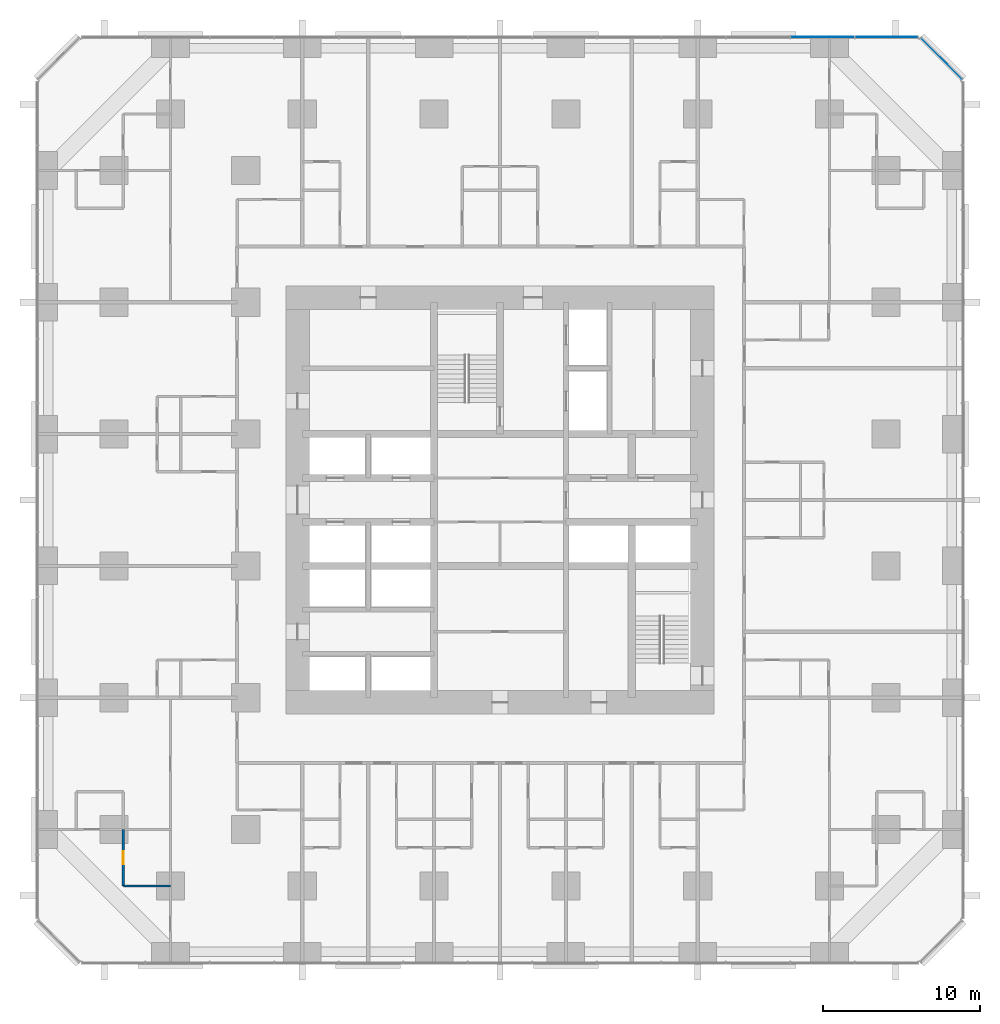
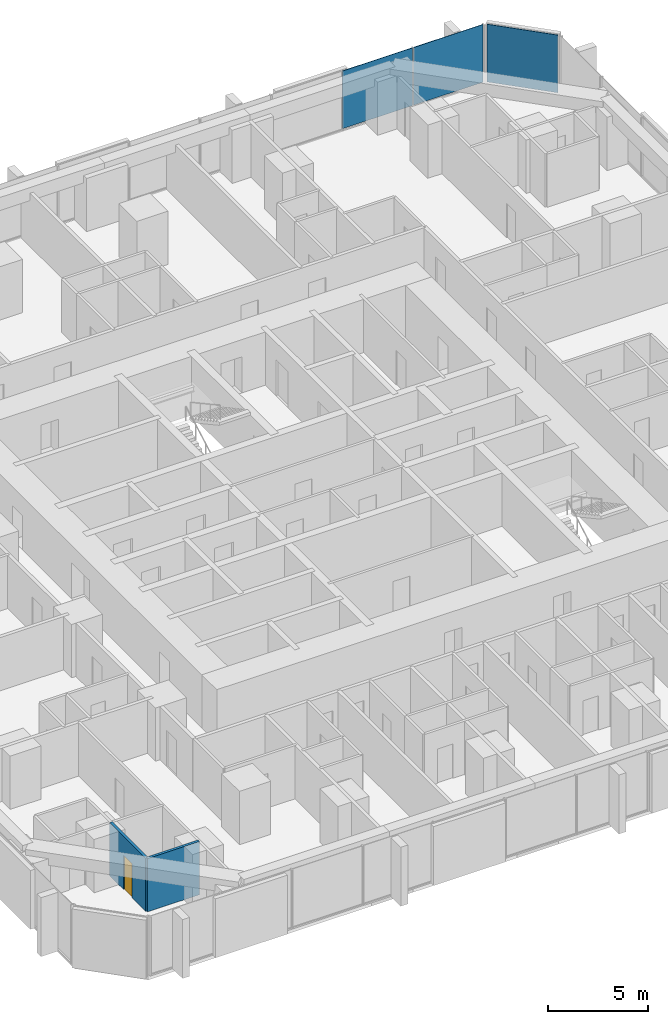
# One storey, part 10 of 17: 3 plates, 2 walls, 1 door, 1 opening, 2 elements without a shape of their own.
"""IFC4 building model written with IfcOpenShell, lengths in metres."""

from ifc_helpers import new_model, si_unit, direction, frame, frame_2d, origin, origin_2d, place, context, subcontext, project, spatial, rectangle, extrude, material, layer, layer_set, type_object, element, fill, aggregate, save


model = new_model("IFC4")

# Units and contexts
model_context = context("Model", 3, precision=1e-05, world=origin(), true_north=direction((0.0, 1.0)))
body_context = subcontext(model_context, "Body", "Model", "MODEL_VIEW")
ifc_project = project(units=[si_unit("LENGTHUNIT", "METRE"), si_unit("AREAUNIT", "SQUARE_METRE"), si_unit("VOLUMEUNIT", "CUBIC_METRE"), si_unit("PLANEANGLEUNIT", "RADIAN"), si_unit("MASSUNIT", "GRAM", prefix="KILO")], contexts=[model_context])

# Site, building, storey
site_placement = place(None, origin())
site = spatial("IfcSite", under=ifc_project, at=site_placement, CompositionType="ELEMENT")
building_placement = place(site_placement, origin())
building = spatial("IfcBuilding", under=site, at=building_placement, Name="Dunama Terrace Hotel", CompositionType="ELEMENT")
storey_placement = place(building_placement, frame((0.0, 0.0, 77.39990234375)))
storey = spatial("IfcBuildingStorey", under=building, at=storey_placement, Name="L19", CompositionType="ELEMENT", Elevation=77.39990234375)

# Curtain wall, plates
ifc_material_1 = material(Name="Aluminium curtain wall system", Category="aluminium")
curtain_wall_type = type_object("IfcCurtainWallType", Name="Unitised fritted glass wall CW-A", PredefinedType="NOTDEFINED", material=ifc_material_1)
curtain_wall_1_placement = place(storey_placement, origin())
curtain_wall_1 = element("IfcCurtainWall", 1, at=curtain_wall_1_placement, inside=storey, type_object=curtain_wall_type, Name="Unitised fritted glass wall CW-A L19", PredefinedType="NOTDEFINED")
ifc_material_2 = material(Name="Laminated glass", Category="glass")
ifc_layer_1 = layer(ifc_material_2, 0.030029296875)
ifc_layer_set_1 = layer_set([ifc_layer_1], Name="CWA clear glass panel")
plate_type_1 = type_object("IfcPlateType", Name="CWA clear glass panel", PredefinedType="CURTAIN_PANEL", material=ifc_layer_set_1)
plate_1_placement = place(storey_placement, frame((49.93798828125, 58.89990234375, 0.0751953125), z_axis=(0.0, 0.0, 1.0), x_axis=(-1.0, 0.0, 0.0)))
plate_1 = element("IfcPlate", 2, at=plate_1_placement, type_object=plate_type_1, Name="CWA clear glass panel", PredefinedType="CURTAIN_PANEL", context=body_context, shape_type="SweptSolid", body=[
    extrude(rectangle(XDim=4.042724609375, YDim=0.030029296875, at=origin_2d()), origin(), (0.0, 0.0, 1.0), 3.52490234375),
])
ifc_material_3 = material(Name="Fritted laminated glass", Category="glass")
ifc_layer_2 = layer(ifc_material_3, 0.030029296875)
ifc_layer_set_2 = layer_set([ifc_layer_2], Name="CWA fritted glass panel")
plate_type_2 = type_object("IfcPlateType", Name="CWA fritted glass panel", PredefinedType="CURTAIN_PANEL", material=ifc_layer_set_2)
plate_2_placement = place(storey_placement, frame((54.030029296875, 58.89990234375, 0.0751953125), z_axis=(0.0, 0.0, 1.0), x_axis=(-1.0, 0.0, 0.0)))
plate_2 = element("IfcPlate", 3, at=plate_2_placement, type_object=plate_type_2, Name="CWA fritted glass panel", PredefinedType="CURTAIN_PANEL", context=body_context, shape_type="SweptSolid", body=[
    extrude(rectangle(XDim=4.01025390625, YDim=0.030029296875, at=origin_2d()), origin(), (0.0, 0.0, 1.0), 3.52490234375),
])
aggregate(curtain_wall_1, [plate_2, plate_1])

# Curtain wall, plate
curtain_wall_2_placement = place(storey_placement, origin())
curtain_wall_2 = element("IfcCurtainWall", 4, at=curtain_wall_2_placement, inside=storey, type_object=curtain_wall_type, Name="Unitised fritted glass wall CW-A L19", PredefinedType="NOTDEFINED")
ifc_material_4 = material(Name="Laminated glass", Category="glass")
ifc_layer_3 = layer(ifc_material_4, 0.030029296875)
ifc_layer_set_3 = layer_set([ifc_layer_3], Name="CWA operable glass panel")
plate_type_3 = type_object("IfcPlateType", Name="CWA operable glass panel", PredefinedType="CURTAIN_PANEL", material=ifc_layer_set_3)
plate_3_placement = place(storey_placement, frame((57.52099609375, 57.52099609375, 0.0751953125), z_axis=(0.0, 0.0, 1.0), x_axis=(-0.707106781187, 0.707106781187, 0.0)))
plate_3 = element("IfcPlate", 5, at=plate_3_placement, type_object=plate_type_3, Name="CWA operable glass panel", PredefinedType="CURTAIN_PANEL", context=body_context, shape_type="SweptSolid", body=[
    extrude(rectangle(XDim=3.6884765625, YDim=0.030029296875, at=origin_2d()), origin(), (0.0, 0.0, 1.0), 3.52490234375),
])
aggregate(curtain_wall_2, [plate_3])

# Wall, opening, door
ifc_material_5 = material(Name="Gypsum board partition", Category="masonry")
ifc_layer_4 = layer(ifc_material_5, 0.14990234375)
ifc_layer_set_4 = layer_set([ifc_layer_4], Name="Bathroom partition 150")
wall_type = type_object("IfcWallType", Name="Bathroom partition 150", PredefinedType="PARTITIONING", material=ifc_layer_set_4)
wall_1_placement = place(storey_placement, frame((5.39990234375, 4.800048828125, 0.0), z_axis=(0.0, 0.0, 1.0), x_axis=(0.0, 1.0, 0.0)))
wall_1 = element("IfcWall", 6, at=wall_1_placement, inside=storey, type_object=wall_type, Name="Bathroom partition 150 L19", PredefinedType="PARTITIONING", context=body_context, shape_type="SweptSolid", body=[
    extrude(rectangle(XDim=3.599853515625, YDim=0.14990234375, at=frame_2d((1.7998046875, 0.0))), origin(), (0.0, 0.0, 1.0), 3.25),
])
opening_placement = place(wall_1_placement, frame((1.375, 0.0, 0.0)))
opening = element("IfcOpeningElement", 7, at=opening_placement, cuts=wall_1, Name="Opening L17-19-063", PredefinedType="OPENING", context=body_context, shape_type="SweptSolid", body=[
    extrude(rectangle(XDim=0.85009765625, YDim=2.10009765625, at=frame_2d((0.425048828125, 1.050048828125))), frame((0.0, 0.0849609375, 0.0), z_axis=(0.0, -1.0, 0.0), x_axis=(1.0, 0.0, 0.0)), (0.0, 0.0, 1.0), 0.169921875),
])
ifc_material_6 = material(Name="Timber door with steel frame", Category="steel")
door_type = type_object("IfcDoorType", Name="Bathroom door 850", OperationType="SINGLE_SWING_LEFT", PredefinedType="DOOR", material=ifc_material_6)
door_placement = place(opening_placement, frame((0.85009765625, 0.0, 0.0), z_axis=(0.0, 0.0, 1.0), x_axis=(-1.0, 0.0, 0.0)))
door = element("IfcDoor", 8, at=door_placement, inside=storey, type_object=door_type, Name="Door to en-suite bathroom L17-19-063, type D2", OperationType="SINGLE_SWING_LEFT", OverallHeight=2.10009765625, OverallWidth=0.85009765625, PredefinedType="DOOR", context=body_context, shape_type="SweptSolid", body=[
    extrude(rectangle(XDim=0.85009765625, YDim=2.10009765625, at=frame_2d((0.425048828125, 1.050048828125))), frame((0.0, 0.025146484375, 0.0), z_axis=(0.0, -1.0, 0.0), x_axis=(1.0, 0.0, 0.0)), (0.0, 0.0, 1.0), 0.050048828125),
])
fill(opening, door)

# Wall
wall_2_placement = place(storey_placement, frame((5.39990234375, 4.800048828125, 0.0), z_axis=(0.0, 0.0, 1.0), x_axis=(1.0, 0.0, 0.0)))
element("IfcWall", 9, at=wall_2_placement, inside=storey, type_object=wall_type, Name="Bathroom partition 150 L19", PredefinedType="PARTITIONING", context=body_context, shape_type="SweptSolid", body=[
    extrude(rectangle(XDim=3.0, YDim=0.14990234375, at=frame_2d((1.5, 0.0))), origin(), (0.0, 0.0, 1.0), 3.25),
])

save(model, "model.ifc")
